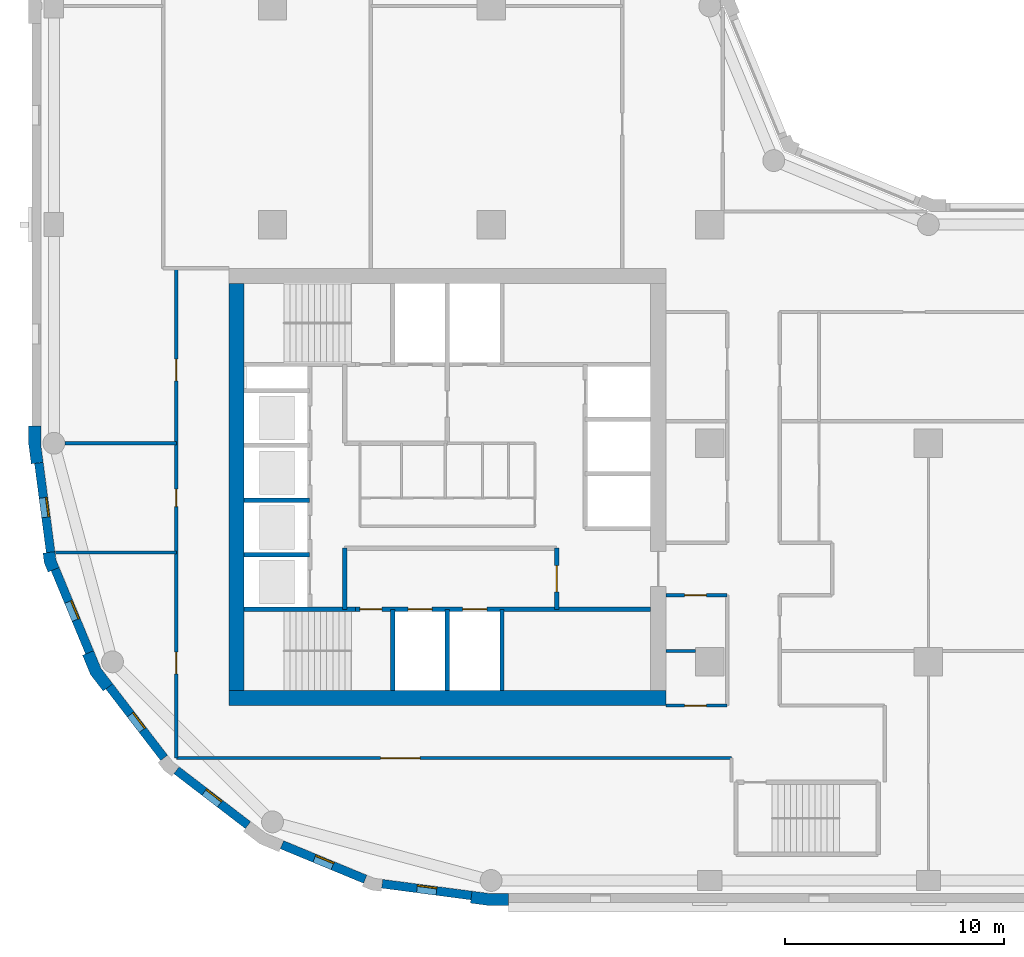
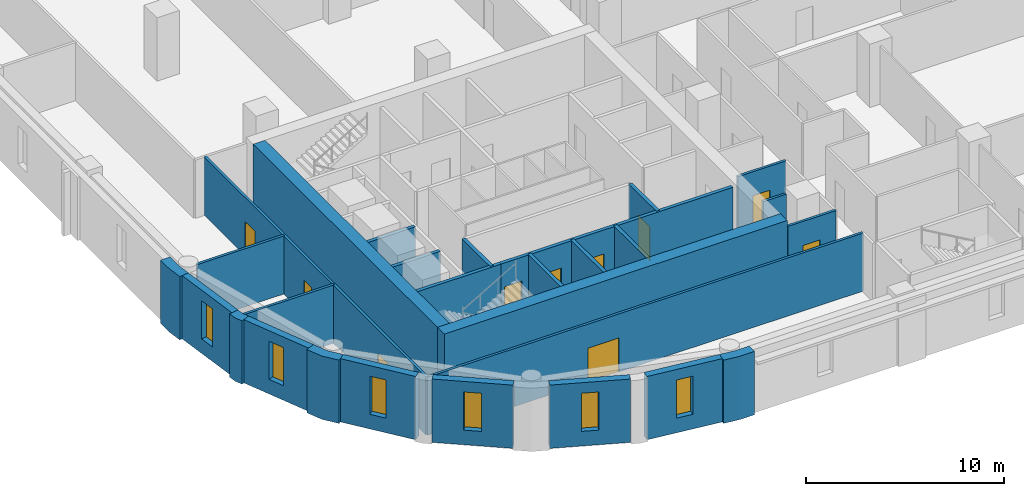
# One storey, part 2 of 10: 28 walls, 10 doors, 6 windows, 16 openings.
"""IFC4 building model written with IfcOpenShell, lengths in metres."""

from ifc_helpers import new_model, si_unit, direction, frame, frame_2d, origin, place, context, subcontext, project, spatial, polyline, rectangle, outline, extrude, material, layer, layer_set, type_object, element, fill, save


model = new_model("IFC4")

# Units and contexts
model_context = context("Model", 3, precision=1e-05, world=origin(), true_north=direction((0.0, 1.0)))
body_context = subcontext(model_context, "Body", "Model", "MODEL_VIEW")
ifc_project = project(units=[si_unit("LENGTHUNIT", "METRE"), si_unit("AREAUNIT", "SQUARE_METRE"), si_unit("VOLUMEUNIT", "CUBIC_METRE"), si_unit("PLANEANGLEUNIT", "RADIAN"), si_unit("MASSUNIT", "GRAM", prefix="KILO")], contexts=[model_context])

# Site, building, storey
site_placement = place(None, origin())
site = spatial("IfcSite", under=ifc_project, at=site_placement, CompositionType="ELEMENT")
building_placement = place(site_placement, origin())
building = spatial("IfcBuilding", under=site, at=building_placement, Name="Qaws Garden Tower", CompositionType="ELEMENT")
storey_placement = place(building_placement, frame((0.0, 0.0, 178.5)))
storey = spatial("IfcBuildingStorey", under=building, at=storey_placement, Name="L43", CompositionType="ELEMENT", Elevation=178.5)

# Wall, opening, window
ifc_material_1 = material(Name="Clay facing brick masonry", Category="masonry")
ifc_layer_1 = layer(ifc_material_1, 0.39990234375)
ifc_layer_set_1 = layer_set([ifc_layer_1], Name="Clay facing brick masonry")
wall_type_1 = type_object("IfcWallType", Name="Brick infill wall 400", PredefinedType="SOLIDWALL", material=ifc_layer_set_1)
wall_1_placement = place(storey_placement, frame((-0.688720703125, 19.102294921875, 0.0), z_axis=(0.0, 0.0, 1.0), x_axis=(0.130514280502, -0.991446429508, 0.0)))
wall_1 = element("IfcWall", 1, at=wall_1_placement, inside=storey, type_object=wall_type_1, Name="E-L43-infill-25", PredefinedType="SOLIDWALL", context=body_context, shape_type="SweptSolid", body=[
    extrude(rectangle(XDim=4.120849609375, YDim=0.39990234375, at=frame_2d((2.060546875, 0.0))), origin(), (0.0, 0.0, 1.0), 3.89990234375),
])
opening_1_placement = place(wall_1_placement, frame((1.610595703125, 0.0, 0.89990234375)))
opening_1 = element("IfcOpeningElement", 2, at=opening_1_placement, cuts=wall_1, Name="Opening W09", PredefinedType="OPENING", context=body_context, shape_type="SweptSolid", body=[
    extrude(rectangle(XDim=0.89990234375, YDim=2.35009765625, at=frame_2d((0.449951171875, 1.175048828125))), frame((0.0, 0.2099609375, 0.0), z_axis=(0.0, -1.0, 0.0), x_axis=(1.0, 0.0, 0.0)), (0.0, 0.0, 1.0), 0.419921875),
])
ifc_material_2 = material(Name="Aluminium framed window, clear glazing", Category="aluminium")
window_type = type_object("IfcWindowType", Name="Slit window 900 x 2350", PartitioningType="SINGLE_PANEL", PredefinedType="WINDOW", material=ifc_material_2)
window_1_placement = place(opening_1_placement, origin())
window_1 = element("IfcWindow", 3, at=window_1_placement, inside=storey, type_object=window_type, Name="E-L43-window-25-0", OverallHeight=2.35009765625, OverallWidth=0.89990234375, PartitioningType="SINGLE_PANEL", PredefinedType="WINDOW", context=body_context, shape_type="SweptSolid", body=[
    extrude(rectangle(XDim=0.89990234375, YDim=2.35009765625, at=frame_2d((0.449951171875, 1.175048828125))), frame((0.0, 0.159912109375, 0.0), z_axis=(0.0, -1.0, 0.0), x_axis=(1.0, 0.0, 0.0)), (0.0, 0.0, 1.0), 0.06005859375),
])
fill(opening_1, window_1)

wall_2_placement = place(storey_placement, frame((0.05712890625, 14.240234375, 0.0), z_axis=(0.0, 0.0, 1.0), x_axis=(0.382721546029, -0.923863744394, 0.0)))
wall_2 = element("IfcWall", 4, at=wall_2_placement, inside=storey, type_object=wall_type_1, Name="E-L43-infill-26", PredefinedType="SOLIDWALL", context=body_context, shape_type="SweptSolid", body=[
    extrude(rectangle(XDim=4.120849609375, YDim=0.39990234375, at=frame_2d((2.060546875, 0.0))), origin(), (0.0, 0.0, 1.0), 3.89990234375),
])
opening_2_placement = place(wall_2_placement, frame((1.610595703125, 0.0, 0.89990234375)))
opening_2 = element("IfcOpeningElement", 5, at=opening_2_placement, cuts=wall_2, Name="Opening W09", PredefinedType="OPENING", context=body_context, shape_type="SweptSolid", body=[
    extrude(rectangle(XDim=0.89990234375, YDim=2.35009765625, at=frame_2d((0.449951171875, 1.175048828125))), frame((0.0, 0.2099609375, 0.0), z_axis=(0.0, -1.0, 0.0), x_axis=(1.0, 0.0, 0.0)), (0.0, 0.0, 1.0), 0.419921875),
])
window_2_placement = place(opening_2_placement, origin())
window_2 = element("IfcWindow", 6, at=window_2_placement, inside=storey, type_object=window_type, Name="E-L43-window-26-0", OverallHeight=2.35009765625, OverallWidth=0.89990234375, PartitioningType="SINGLE_PANEL", PredefinedType="WINDOW", context=body_context, shape_type="SweptSolid", body=[
    extrude(rectangle(XDim=0.89990234375, YDim=2.35009765625, at=frame_2d((0.449951171875, 1.175048828125))), frame((0.0, 0.159912109375, 0.0), z_axis=(0.0, -1.0, 0.0), x_axis=(1.0, 0.0, 0.0)), (0.0, 0.0, 1.0), 0.06005859375),
])
fill(opening_2, window_2)

wall_3_placement = place(storey_placement, frame((2.53173828125, 8.87841796875, 0.0), z_axis=(0.0, 0.0, 1.0), x_axis=(0.608759824817, -0.793354571229, 0.0)))
wall_3 = element("IfcWall", 7, at=wall_3_placement, inside=storey, type_object=wall_type_1, Name="E-L43-infill-27", PredefinedType="SOLIDWALL", context=body_context, shape_type="SweptSolid", body=[
    extrude(rectangle(XDim=4.12109375, YDim=0.39990234375, at=frame_2d((2.060546875, 0.0))), origin(), (0.0, 0.0, 1.0), 3.89990234375),
])
opening_3_placement = place(wall_3_placement, frame((1.610595703125, 0.0, 0.89990234375)))
opening_3 = element("IfcOpeningElement", 8, at=opening_3_placement, cuts=wall_3, Name="Opening W09", PredefinedType="OPENING", context=body_context, shape_type="SweptSolid", body=[
    extrude(rectangle(XDim=0.89990234375, YDim=2.35009765625, at=frame_2d((0.449951171875, 1.175048828125))), frame((0.0, 0.2099609375, 0.0), z_axis=(0.0, -1.0, 0.0), x_axis=(1.0, 0.0, 0.0)), (0.0, 0.0, 1.0), 0.419921875),
])
window_3_placement = place(opening_3_placement, origin())
window_3 = element("IfcWindow", 9, at=window_3_placement, inside=storey, type_object=window_type, Name="E-L43-window-27-0", OverallHeight=2.35009765625, OverallWidth=0.89990234375, PartitioningType="SINGLE_PANEL", PredefinedType="WINDOW", context=body_context, shape_type="SweptSolid", body=[
    extrude(rectangle(XDim=0.89990234375, YDim=2.35009765625, at=frame_2d((0.449951171875, 1.175048828125))), frame((0.0, 0.159912109375, 0.0), z_axis=(0.0, -1.0, 0.0), x_axis=(1.0, 0.0, 0.0)), (0.0, 0.0, 1.0), 0.06005859375),
])
fill(opening_3, window_3)

wall_4_placement = place(storey_placement, frame((5.60888671875, 5.04052734375, 0.0), z_axis=(0.0, 0.0, 1.0), x_axis=(0.793354571229, -0.608759824817, 0.0)))
wall_4 = element("IfcWall", 10, at=wall_4_placement, inside=storey, type_object=wall_type_1, Name="E-L43-infill-28", PredefinedType="SOLIDWALL", context=body_context, shape_type="SweptSolid", body=[
    extrude(rectangle(XDim=4.12109375, YDim=0.39990234375, at=frame_2d((2.060546875, 0.0))), origin(), (0.0, 0.0, 1.0), 3.89990234375),
])
opening_4_placement = place(wall_4_placement, frame((1.610595703125, 0.0, 0.89990234375)))
opening_4 = element("IfcOpeningElement", 11, at=opening_4_placement, cuts=wall_4, Name="Opening W09", PredefinedType="OPENING", context=body_context, shape_type="SweptSolid", body=[
    extrude(rectangle(XDim=0.89990234375, YDim=2.35009765625, at=frame_2d((0.449951171875, 1.175048828125))), frame((0.0, 0.2099609375, 0.0), z_axis=(0.0, -1.0, 0.0), x_axis=(1.0, 0.0, 0.0)), (0.0, 0.0, 1.0), 0.419921875),
])
window_4_placement = place(opening_4_placement, origin())
window_4 = element("IfcWindow", 12, at=window_4_placement, inside=storey, type_object=window_type, Name="E-L43-window-28-0", OverallHeight=2.35009765625, OverallWidth=0.89990234375, PartitioningType="SINGLE_PANEL", PredefinedType="WINDOW", context=body_context, shape_type="SweptSolid", body=[
    extrude(rectangle(XDim=0.89990234375, YDim=2.35009765625, at=frame_2d((0.449951171875, 1.175048828125))), frame((0.0, 0.159912109375, 0.0), z_axis=(0.0, -1.0, 0.0), x_axis=(1.0, 0.0, 0.0)), (0.0, 0.0, 1.0), 0.06005859375),
])
fill(opening_4, window_4)

wall_5_placement = place(storey_placement, frame((10.43310546875, 1.63427734375, 0.0), z_axis=(0.0, 0.0, 1.0), x_axis=(0.923863744394, -0.382721546029, 0.0)))
wall_5 = element("IfcWall", 13, at=wall_5_placement, inside=storey, type_object=wall_type_1, Name="E-L43-infill-29", PredefinedType="SOLIDWALL", context=body_context, shape_type="SweptSolid", body=[
    extrude(rectangle(XDim=4.120849609375, YDim=0.39990234375, at=frame_2d((2.060546875, 0.0))), origin(), (0.0, 0.0, 1.0), 3.89990234375),
])
opening_5_placement = place(wall_5_placement, frame((1.610595703125, 0.0, 0.89990234375)))
opening_5 = element("IfcOpeningElement", 14, at=opening_5_placement, cuts=wall_5, Name="Opening W09", PredefinedType="OPENING", context=body_context, shape_type="SweptSolid", body=[
    extrude(rectangle(XDim=0.89990234375, YDim=2.35009765625, at=frame_2d((0.449951171875, 1.175048828125))), frame((0.0, 0.2099609375, 0.0), z_axis=(0.0, -1.0, 0.0), x_axis=(1.0, 0.0, 0.0)), (0.0, 0.0, 1.0), 0.419921875),
])
window_5_placement = place(opening_5_placement, origin())
window_5 = element("IfcWindow", 15, at=window_5_placement, inside=storey, type_object=window_type, Name="E-L43-window-29-0", OverallHeight=2.35009765625, OverallWidth=0.89990234375, PartitioningType="SINGLE_PANEL", PredefinedType="WINDOW", context=body_context, shape_type="SweptSolid", body=[
    extrude(rectangle(XDim=0.89990234375, YDim=2.35009765625, at=frame_2d((0.449951171875, 1.175048828125))), frame((0.0, 0.159912109375, 0.0), z_axis=(0.0, -1.0, 0.0), x_axis=(1.0, 0.0, 0.0)), (0.0, 0.0, 1.0), 0.06005859375),
])
fill(opening_5, window_5)

wall_6_placement = place(storey_placement, frame((15.0166015625, -0.15087890625, 0.0), z_axis=(0.0, 0.0, 1.0), x_axis=(0.991446429508, -0.130514280502, 0.0)))
wall_6 = element("IfcWall", 16, at=wall_6_placement, inside=storey, type_object=wall_type_1, Name="E-L43-infill-30", PredefinedType="SOLIDWALL", context=body_context, shape_type="SweptSolid", body=[
    extrude(rectangle(XDim=4.120849609375, YDim=0.39990234375, at=frame_2d((2.060546875, 0.0))), origin(), (0.0, 0.0, 1.0), 3.89990234375),
])
opening_6_placement = place(wall_6_placement, frame((1.610595703125, 0.0, 0.89990234375)))
opening_6 = element("IfcOpeningElement", 17, at=opening_6_placement, cuts=wall_6, Name="Opening W09", PredefinedType="OPENING", context=body_context, shape_type="SweptSolid", body=[
    extrude(rectangle(XDim=0.89990234375, YDim=2.35009765625, at=frame_2d((0.449951171875, 1.175048828125))), frame((0.0, 0.2099609375, 0.0), z_axis=(0.0, -1.0, 0.0), x_axis=(1.0, 0.0, 0.0)), (0.0, 0.0, 1.0), 0.419921875),
])
window_6_placement = place(opening_6_placement, origin())
window_6 = element("IfcWindow", 18, at=window_6_placement, inside=storey, type_object=window_type, Name="E-L43-window-30-0", OverallHeight=2.35009765625, OverallWidth=0.89990234375, PartitioningType="SINGLE_PANEL", PredefinedType="WINDOW", context=body_context, shape_type="SweptSolid", body=[
    extrude(rectangle(XDim=0.89990234375, YDim=2.35009765625, at=frame_2d((0.449951171875, 1.175048828125))), frame((0.0, 0.159912109375, 0.0), z_axis=(0.0, -1.0, 0.0), x_axis=(1.0, 0.0, 0.0)), (0.0, 0.0, 1.0), 0.06005859375),
])
fill(opening_6, window_6)

# Walls
ifc_material_3 = material(Name="Clay facing brick masonry", Category="masonry")
ifc_layer_2 = layer(ifc_material_3, 0.550048828125)
ifc_layer_set_2 = layer_set([ifc_layer_2], Name="Clay facing brick masonry")
wall_type_2 = type_object("IfcWallType", Name="Brick kink pier 550 x 600", PredefinedType="SOLIDWALL", material=ifc_layer_set_2)
placement = place(storey_placement, origin())
element("IfcWall", 19, at=placement, inside=storey, type_object=wall_type_2, Name="E-L43-pier-26", PredefinedType="SOLIDWALL", context=body_context, shape_type="SweptSolid", body=[
    extrude(outline(polyline([(-0.34912109375, 14.990478515625), (-0.497802734375, 14.970947265625), (-0.43896484375, 14.5234375), (-0.26611328125, 14.1064453125), (-0.127685546875, 14.163818359375), (0.241943359375, 14.31689453125), (0.096923828125, 14.6669921875), (0.04736328125, 15.042724609375), (-0.34912109375, 14.990478515625)])), origin(), (0.0, 0.0, 1.0), 3.89990234375),
])
ifc_material_4 = material(Name="Clay facing brick masonry", Category="masonry")
ifc_layer_3 = layer(ifc_material_4, 0.550048828125)
ifc_layer_set_3 = layer_set([ifc_layer_3], Name="Clay facing brick masonry")
wall_type_3 = type_object("IfcWallType", Name="Brick pier 550 x 1600", PredefinedType="SOLIDWALL", material=ifc_layer_set_3)
element("IfcWall", 20, at=placement, inside=storey, type_object=wall_type_3, Name="E-L43-pier-00", PredefinedType="SOLIDWALL", context=body_context, shape_type="SweptSolid", body=[
    extrude(outline(polyline([(19.076416015625, -0.886962890625), (19.056640625, -1.03564453125), (19.924560546875, -1.14990234375), (20.800048828125, -1.14990234375), (20.800048828125, -1.0), (20.800048828125, -0.60009765625), (19.960693359375, -0.60009765625), (19.12841796875, -0.490478515625), (19.076416015625, -0.886962890625)])), origin(), (0.0, 0.0, 1.0), 3.89990234375),
])
element("IfcWall", 21, at=placement, inside=storey, type_object=wall_type_3, Name="E-L43-pier-25", PredefinedType="SOLIDWALL", context=body_context, shape_type="SweptSolid", body=[
    extrude(outline(polyline([(-1.0, 20.800048828125), (-1.14990234375, 20.800048828125), (-1.14990234375, 19.924560546875), (-1.03564453125, 19.056640625), (-0.886962890625, 19.076416015625), (-0.490478515625, 19.12841796875), (-0.60009765625, 19.960693359375), (-0.60009765625, 20.800048828125), (-1.0, 20.800048828125)])), origin(), (0.0, 0.0, 1.0), 3.89990234375),
])
element("IfcWall", 22, at=placement, inside=storey, type_object=wall_type_3, Name="E-L43-pier-27", PredefinedType="SOLIDWALL", context=body_context, shape_type="SweptSolid", body=[
    extrude(outline(polyline([(1.449462890625, 10.3564453125), (1.310791015625, 10.299072265625), (1.675048828125, 9.419921875), (2.254150390625, 8.665283203125), (2.373046875, 8.756591796875), (2.6904296875, 9.0), (2.1552734375, 9.697509765625), (1.819091796875, 10.509521484375), (1.449462890625, 10.3564453125)])), origin(), (0.0, 0.0, 1.0), 3.89990234375),
])
ifc_material_5 = material(Name="Concrete C70", Category="concrete")
ifc_layer_4 = layer(ifc_material_5, 0.199951171875)
ifc_layer_set_4 = layer_set([ifc_layer_4], Name="Concrete C70")
wall_type_4 = type_object("IfcWallType", Name="Core shaft wall 200 C70", PredefinedType="SHEAR", material=ifc_layer_set_4)
wall_11_placement = place(storey_placement, frame((8.699951171875, 12.39990234375, 0.0), z_axis=(0.0, 0.0, 1.0), x_axis=(1.0, 0.0, 0.0)))
element("IfcWall", 23, at=wall_11_placement, inside=storey, type_object=wall_type_4, Name="Shaft wall", PredefinedType="SHEAR", context=body_context, shape_type="SweptSolid", body=[
    extrude(rectangle(XDim=5.10009765625, YDim=0.199951171875, at=frame_2d((2.550048828125, 0.0))), origin(), (0.0, 0.0, 1.0), 3.580078125),
])

# Wall, openings, doors
wall_12_placement = place(storey_placement, frame((13.800048828125, 12.39990234375, 0.0), z_axis=(0.0, 0.0, 1.0), x_axis=(1.0, 0.0, 0.0)))
wall_12 = element("IfcWall", 24, at=wall_12_placement, inside=storey, type_object=wall_type_4, Name="Shaft wall", PredefinedType="SHEAR", context=body_context, shape_type="SweptSolid", body=[
    extrude(rectangle(XDim=13.5, YDim=0.199951171875, at=frame_2d((6.75, 0.0))), origin(), (0.0, 0.0, 1.0), 3.580078125),
])
opening_7_placement = place(wall_12_placement, frame((2.39990234375, 0.0, 0.0)))
opening_7 = element("IfcOpeningElement", 25, at=opening_7_placement, cuts=wall_12, Name="Opening LD06", PredefinedType="OPENING", context=body_context, shape_type="SweptSolid", body=[
    extrude(rectangle(XDim=1.10009765625, YDim=2.10009765625, at=frame_2d((0.550048828125, 1.050048828125))), frame((0.0, 0.10986328125, 0.0), z_axis=(0.0, -1.0, 0.0), x_axis=(1.0, 0.0, 0.0)), (0.0, 0.0, 1.0), 0.219970703125),
])
opening_8_placement = place(wall_12_placement, frame((4.89990234375, 0.0, 0.0)))
opening_8 = element("IfcOpeningElement", 26, at=opening_8_placement, cuts=wall_12, Name="Opening LD07", PredefinedType="OPENING", context=body_context, shape_type="SweptSolid", body=[
    extrude(rectangle(XDim=1.10009765625, YDim=2.10009765625, at=frame_2d((0.550048828125, 1.050048828125))), frame((0.0, 0.10986328125, 0.0), z_axis=(0.0, -1.0, 0.0), x_axis=(1.0, 0.0, 0.0)), (0.0, 0.0, 1.0), 0.219970703125),
])
opening_9_placement = place(wall_12_placement, frame((0.199951171875, 0.0, 0.0)))
opening_9 = element("IfcOpeningElement", 27, at=opening_9_placement, cuts=wall_12, Name="Opening SD10", PredefinedType="OPENING", context=body_context, shape_type="SweptSolid", body=[
    extrude(rectangle(XDim=1.0, YDim=2.10009765625, at=frame_2d((0.5, 1.050048828125))), frame((0.0, 0.10986328125, 0.0), z_axis=(0.0, -1.0, 0.0), x_axis=(1.0, 0.0, 0.0)), (0.0, 0.0, 1.0), 0.219970703125),
])
ifc_material_6 = material(Name="Steel S235", Category="steel")
door_type_1 = type_object("IfcDoorType", Name="Landing door 1100x2100", OperationType="DOUBLE_DOOR_SLIDING", PredefinedType="DOOR", material=ifc_material_6)
door_1_placement = place(opening_7_placement, origin())
door_1 = element("IfcDoor", 28, at=door_1_placement, inside=storey, type_object=door_type_1, Name="Lift FF1 landing door", OperationType="DOUBLE_DOOR_SLIDING", OverallHeight=2.10009765625, OverallWidth=1.10009765625, PredefinedType="DOOR", context=body_context, shape_type="SweptSolid", body=[
    extrude(rectangle(XDim=1.10009765625, YDim=2.10009765625, at=frame_2d((0.550048828125, 1.050048828125))), frame((0.0, 0.02490234375, 0.0), z_axis=(0.0, -1.0, 0.0), x_axis=(1.0, 0.0, 0.0)), (0.0, 0.0, 1.0), 0.050048828125),
])
fill(opening_7, door_1)
door_2_placement = place(opening_8_placement, origin())
door_2 = element("IfcDoor", 29, at=door_2_placement, inside=storey, type_object=door_type_1, Name="Lift FF2 landing door", OperationType="DOUBLE_DOOR_SLIDING", OverallHeight=2.10009765625, OverallWidth=1.10009765625, PredefinedType="DOOR", context=body_context, shape_type="SweptSolid", body=[
    extrude(rectangle(XDim=1.10009765625, YDim=2.10009765625, at=frame_2d((0.550048828125, 1.050048828125))), frame((0.0, 0.02490234375, 0.0), z_axis=(0.0, -1.0, 0.0), x_axis=(1.0, 0.0, 0.0)), (0.0, 0.0, 1.0), 0.050048828125),
])
fill(opening_8, door_2)
ifc_material_7 = material(Name="Steel S235", Category="steel")
door_type_2 = type_object("IfcDoorType", Name="Stair door 1000x2100", OperationType="SINGLE_SWING_RIGHT", PredefinedType="DOOR", material=ifc_material_7)
door_3_placement = place(opening_9_placement, frame((1.0, 0.0, 0.0), z_axis=(0.0, 0.0, 1.0), x_axis=(-1.0, 0.0, 0.0)))
door_3 = element("IfcDoor", 30, at=door_3_placement, inside=storey, type_object=door_type_2, Name="Stair 1 door", OperationType="SINGLE_SWING_LEFT", OverallHeight=2.10009765625, OverallWidth=1.0, PredefinedType="DOOR", context=body_context, shape_type="SweptSolid", body=[
    extrude(rectangle(XDim=1.0, YDim=2.10009765625, at=frame_2d((0.5, 1.050048828125))), frame((0.0, 0.02490234375, 0.0), z_axis=(0.0, -1.0, 0.0), x_axis=(1.0, 0.0, 0.0)), (0.0, 0.0, 1.0), 0.050048828125),
])
fill(opening_9, door_3)

# Walls
for number, where, z_axis, x_axis, name in (
    (31, (8.699951171875, 14.89990234375, 0.0), (0.0, 0.0, 1.0), (1.0, 0.0, 0.0), "Shaft wall"),
    (32, (8.699951171875, 17.39990234375, 0.0), (0.0, 0.0, 1.0), (1.0, 0.0, 0.0), "Shaft wall"),
):
    element("IfcWall", number, at=place(storey_placement, frame(where, z_axis=z_axis, x_axis=x_axis)), inside=storey, type_object=wall_type_4, Name=name, PredefinedType="SHEAR", context=body_context, shape_type="SweptSolid", body=[
        extrude(rectangle(XDim=3.0, YDim=0.199951171875, at=frame_2d((1.5, 0.0))), origin(), (0.0, 0.0, 1.0), 3.580078125),
    ])
wall_13_placement = place(storey_placement, frame((13.300048828125, 12.39990234375, 0.0), z_axis=(0.0, 0.0, 1.0), x_axis=(0.0, 1.0, 0.0)))
element("IfcWall", 33, at=wall_13_placement, inside=storey, type_object=wall_type_4, Name="Shaft wall", PredefinedType="SHEAR", context=body_context, shape_type="SweptSolid", body=[
    extrude(rectangle(XDim=2.800048828125, YDim=0.199951171875, at=frame_2d((1.39990234375, 0.0))), origin(), (0.0, 0.0, 1.0), 3.580078125),
])
for number, where, z_axis, x_axis, name in (
    (34, (15.5, 8.699951171875, 0.0), (0.0, 0.0, 1.0), (0.0, 1.0, 0.0), "Shaft wall"),
    (35, (18.0, 8.699951171875, 0.0), (0.0, 0.0, 1.0), (0.0, 1.0, 0.0), "Shaft wall"),
    (36, (20.5, 8.699951171875, 0.0), (0.0, 0.0, 1.0), (0.0, 1.0, 0.0), "Shaft wall"),
):
    element("IfcWall", number, at=place(storey_placement, frame(where, z_axis=z_axis, x_axis=x_axis)), inside=storey, type_object=wall_type_4, Name=name, PredefinedType="SHEAR", context=body_context, shape_type="SweptSolid", body=[
        extrude(rectangle(XDim=3.699951171875, YDim=0.199951171875, at=frame_2d((1.85009765625, 0.0))), origin(), (0.0, 0.0, 1.0), 3.580078125),
    ])

# Wall, opening, door
wall_14_placement = place(storey_placement, frame((23.0, 12.39990234375, 0.0), z_axis=(0.0, 0.0, 1.0), x_axis=(0.0, 1.0, 0.0)))
wall_14 = element("IfcWall", 37, at=wall_14_placement, inside=storey, type_object=wall_type_4, Name="Shaft wall", PredefinedType="SHEAR", context=body_context, shape_type="SweptSolid", body=[
    extrude(rectangle(XDim=2.800048828125, YDim=0.199951171875, at=frame_2d((1.39990234375, 0.0))), origin(), (0.0, 0.0, 1.0), 3.580078125),
])
opening_10_placement = place(wall_14_placement, frame((0.800048828125, 0.0, 0.0)))
opening_10 = element("IfcOpeningElement", 38, at=opening_10_placement, cuts=wall_14, Name="Opening FD15", PredefinedType="OPENING", context=body_context, shape_type="SweptSolid", body=[
    extrude(rectangle(XDim=1.199951171875, YDim=2.10009765625, at=frame_2d((0.60009765625, 1.050048828125))), frame((0.0, 0.10986328125, 0.0), z_axis=(0.0, -1.0, 0.0), x_axis=(1.0, 0.0, 0.0)), (0.0, 0.0, 1.0), 0.219970703125),
])
ifc_material_8 = material(Name="Steel S235", Category="steel")
door_type_3 = type_object("IfcDoorType", Name="Lobby door 1200x2100", OperationType="DOUBLE_DOOR_SINGLE_SWING", PredefinedType="DOOR", material=ifc_material_8)
door_4_placement = place(opening_10_placement, origin())
door_4 = element("IfcDoor", 39, at=door_4_placement, inside=storey, type_object=door_type_3, Name="Fire-fighting lobby door", OperationType="DOUBLE_DOOR_SINGLE_SWING", OverallHeight=2.10009765625, OverallWidth=1.199951171875, PredefinedType="DOOR", context=body_context, shape_type="SweptSolid", body=[
    extrude(rectangle(XDim=1.199951171875, YDim=2.10009765625, at=frame_2d((0.60009765625, 1.050048828125))), frame((0.0, 0.02490234375, 0.0), z_axis=(0.0, -1.0, 0.0), x_axis=(1.0, 0.0, 0.0)), (0.0, 0.0, 1.0), 0.050048828125),
])
fill(opening_10, door_4)

# Walls
ifc_material_9 = material(Name="Concrete C70", Category="concrete")
ifc_layer_5 = layer(ifc_material_9, 0.699951171875)
ifc_layer_set_5 = layer_set([ifc_layer_5], Name="Concrete C70")
wall_type_5 = type_object("IfcWallType", Name="Core wall 700 C70", PredefinedType="SHEAR", material=ifc_layer_set_5)
wall_15_placement = place(storey_placement, frame((8.0, 8.35009765625, 0.0), z_axis=(0.0, 0.0, 1.0), x_axis=(1.0, 0.0, 0.0)))
element("IfcWall", 40, at=wall_15_placement, inside=storey, type_object=wall_type_5, Name="Core wall L43 south", PredefinedType="SHEAR", context=body_context, shape_type="SweptSolid", body=[
    extrude(rectangle(XDim=20.0, YDim=0.699951171875, at=frame_2d((10.0, 0.0))), origin(), (0.0, 0.0, 1.0), 3.89990234375),
])
wall_16_placement = place(storey_placement, frame((8.35009765625, 27.300048828125, 0.0), z_axis=(0.0, 0.0, 1.0), x_axis=(0.0, -1.0, 0.0)))
element("IfcWall", 41, at=wall_16_placement, inside=storey, type_object=wall_type_5, Name="Core wall L43 west", PredefinedType="SHEAR", context=body_context, shape_type="SweptSolid", body=[
    extrude(rectangle(XDim=18.60009765625, YDim=0.699951171875, at=frame_2d((9.300048828125, 0.0))), origin(), (0.0, 0.0, 1.0), 3.89990234375),
])

# Wall, openings, doors
ifc_material_10 = material(Name="Gypsum board partition")
ifc_layer_6 = layer(ifc_material_10, 0.14990234375)
ifc_layer_set_6 = layer_set([ifc_layer_6], Name="Gypsum board partition")
wall_type_6 = type_object("IfcWallType", Name="PARTITION 150 EI 60", PredefinedType="PARTITIONING", material=ifc_layer_set_6)
wall_17_placement = place(storey_placement, frame((5.60009765625, 5.60009765625, 0.0), z_axis=(0.0, 0.0, 1.0), x_axis=(0.0, 1.0, 0.0)))
wall_17 = element("IfcWall", 42, at=wall_17_placement, inside=storey, type_object=wall_type_6, Name="O-L43-wall-009", PredefinedType="PARTITIONING", context=body_context, shape_type="SweptSolid", body=[
    extrude(rectangle(XDim=22.39990234375, YDim=0.14990234375, at=frame_2d((11.199951171875, 0.0))), origin(), (0.0, 0.0, 1.0), 3.580078125),
])
opening_11_placement = place(wall_17_placement, frame((3.85009765625, 0.0, 0.0)))
opening_11 = element("IfcOpeningElement", 43, at=opening_11_placement, cuts=wall_17, Name="Opening B501", PredefinedType="OPENING", context=body_context, shape_type="SweptSolid", body=[
    extrude(rectangle(XDim=1.0, YDim=2.10009765625, at=frame_2d((0.5, 1.050048828125))), frame((0.0, 0.0849609375, 0.0), z_axis=(0.0, -1.0, 0.0), x_axis=(1.0, 0.0, 0.0)), (0.0, 0.0, 1.0), 0.169921875),
])
opening_12_placement = place(wall_17_placement, frame((11.5, 0.0, 0.0)))
opening_12 = element("IfcOpeningElement", 44, at=opening_12_placement, cuts=wall_17, Name="Opening B502", PredefinedType="OPENING", context=body_context, shape_type="SweptSolid", body=[
    extrude(rectangle(XDim=0.800048828125, YDim=2.10009765625, at=frame_2d((0.39990234375, 1.050048828125))), frame((0.0, 0.0849609375, 0.0), z_axis=(0.0, -1.0, 0.0), x_axis=(1.0, 0.0, 0.0)), (0.0, 0.0, 1.0), 0.169921875),
])
opening_13_placement = place(wall_17_placement, frame((17.25, 0.0, 0.0)))
opening_13 = element("IfcOpeningElement", 45, at=opening_13_placement, cuts=wall_17, Name="Opening B511", PredefinedType="OPENING", context=body_context, shape_type="SweptSolid", body=[
    extrude(rectangle(XDim=1.0, YDim=2.10009765625, at=frame_2d((0.5, 1.050048828125))), frame((0.0, 0.0849609375, 0.0), z_axis=(0.0, -1.0, 0.0), x_axis=(1.0, 0.0, 0.0)), (0.0, 0.0, 1.0), 0.169921875),
])
ifc_material_11 = material(Name="Timber door leaf", Category="wood")
door_type_4 = type_object("IfcDoorType", Name="STORE DOOR 800 X 2100", OperationType="SINGLE_SWING_LEFT", PredefinedType="DOOR", material=ifc_material_11)
door_5_placement = place(opening_12_placement, origin())
door_5 = element("IfcDoor", 46, at=door_5_placement, inside=storey, type_object=door_type_4, Name="O-L43-door-002", OperationType="SINGLE_SWING_RIGHT", OverallHeight=2.10009765625, OverallWidth=0.800048828125, PredefinedType="DOOR", context=body_context, shape_type="SweptSolid", body=[
    extrude(rectangle(XDim=0.800048828125, YDim=2.10009765625, at=frame_2d((0.39990234375, 1.050048828125))), frame((0.0, 0.02490234375, 0.0), z_axis=(0.0, -1.0, 0.0), x_axis=(1.0, 0.0, 0.0)), (0.0, 0.0, 1.0), 0.050048828125),
])
fill(opening_12, door_5)
ifc_material_12 = material(Name="Timber door leaf", Category="wood")
door_type_5 = type_object("IfcDoorType", Name="TENANCY ENTRANCE DOOR 1000 X 2100", OperationType="SINGLE_SWING_LEFT", PredefinedType="DOOR", material=ifc_material_12)
door_6_placement = place(opening_11_placement, origin())
door_6 = element("IfcDoor", 47, at=door_6_placement, inside=storey, type_object=door_type_5, Name="O-L43-door-001", OperationType="SINGLE_SWING_RIGHT", OverallHeight=2.10009765625, OverallWidth=1.0, PredefinedType="DOOR", context=body_context, shape_type="SweptSolid", body=[
    extrude(rectangle(XDim=1.0, YDim=2.10009765625, at=frame_2d((0.5, 1.050048828125))), frame((0.0, 0.02490234375, 0.0), z_axis=(0.0, -1.0, 0.0), x_axis=(1.0, 0.0, 0.0)), (0.0, 0.0, 1.0), 0.050048828125),
])
fill(opening_11, door_6)
door_7_placement = place(opening_13_placement, origin())
door_7 = element("IfcDoor", 48, at=door_7_placement, inside=storey, type_object=door_type_5, Name="O-L43-door-011", OperationType="SINGLE_SWING_RIGHT", OverallHeight=2.10009765625, OverallWidth=1.0, PredefinedType="DOOR", context=body_context, shape_type="SweptSolid", body=[
    extrude(rectangle(XDim=1.0, YDim=2.10009765625, at=frame_2d((0.5, 1.050048828125))), frame((0.0, 0.02490234375, 0.0), z_axis=(0.0, -1.0, 0.0), x_axis=(1.0, 0.0, 0.0)), (0.0, 0.0, 1.0), 0.050048828125),
])
fill(opening_13, door_7)

# Wall, opening, door
wall_18_placement = place(storey_placement, frame((5.60009765625, 5.60009765625, 0.0), z_axis=(0.0, 0.0, 1.0), x_axis=(1.0, 0.0, 0.0)))
wall_18 = element("IfcWall", 49, at=wall_18_placement, inside=storey, type_object=wall_type_6, Name="O-L43-wall-028", PredefinedType="PARTITIONING", context=body_context, shape_type="SweptSolid", body=[
    extrude(rectangle(XDim=25.39990234375, YDim=0.14990234375, at=frame_2d((12.699951171875, 0.0))), origin(), (0.0, 0.0, 1.0), 3.580078125),
])
opening_14_placement = place(wall_18_placement, frame((9.35009765625, 0.0, 0.0)))
opening_14 = element("IfcOpeningElement", 50, at=opening_14_placement, cuts=wall_18, Name="Opening B509", PredefinedType="OPENING", context=body_context, shape_type="SweptSolid", body=[
    extrude(rectangle(XDim=1.800048828125, YDim=2.10009765625, at=frame_2d((0.89990234375, 1.050048828125))), frame((0.0, 0.0849609375, 0.0), z_axis=(0.0, -1.0, 0.0), x_axis=(1.0, 0.0, 0.0)), (0.0, 0.0, 1.0), 0.169921875),
])
ifc_material_13 = material(Name="Timber door leaf", Category="wood")
door_type_6 = type_object("IfcDoorType", Name="DOUBLE DOOR 1800 X 2100", OperationType="DOUBLE_DOOR_SINGLE_SWING", PredefinedType="DOOR", material=ifc_material_13)
door_8_placement = place(opening_14_placement, frame((1.800048828125, 0.0, 0.0), z_axis=(0.0, 0.0, 1.0), x_axis=(-1.0, 0.0, 0.0)))
door_8 = element("IfcDoor", 51, at=door_8_placement, inside=storey, type_object=door_type_6, Name="O-L43-door-009", OperationType="DOUBLE_DOOR_SINGLE_SWING", OverallHeight=2.10009765625, OverallWidth=1.800048828125, PredefinedType="DOOR", context=body_context, shape_type="SweptSolid", body=[
    extrude(rectangle(XDim=1.800048828125, YDim=2.10009765625, at=frame_2d((0.89990234375, 1.050048828125))), frame((0.0, 0.02490234375, 0.0), z_axis=(0.0, -1.0, 0.0), x_axis=(1.0, 0.0, 0.0)), (0.0, 0.0, 1.0), 0.050048828125),
])
fill(opening_14, door_8)

wall_19_placement = place(storey_placement, frame((28.0, 8.0, 0.0), z_axis=(0.0, 0.0, 1.0), x_axis=(1.0, 0.0, 0.0)))
wall_19 = element("IfcWall", 52, at=wall_19_placement, inside=storey, type_object=wall_type_6, Name="O-L43-wall-029", PredefinedType="PARTITIONING", context=body_context, shape_type="SweptSolid", body=[
    extrude(rectangle(XDim=2.800048828125, YDim=0.14990234375, at=frame_2d((1.39990234375, 0.0))), origin(), (0.0, 0.0, 1.0), 3.580078125),
])
opening_15_placement = place(wall_19_placement, frame((0.85009765625, 0.0, 0.0)))
opening_15 = element("IfcOpeningElement", 53, at=opening_15_placement, cuts=wall_19, Name="Opening B506", PredefinedType="OPENING", context=body_context, shape_type="SweptSolid", body=[
    extrude(rectangle(XDim=1.0, YDim=2.10009765625, at=frame_2d((0.5, 1.050048828125))), frame((0.0, 0.0849609375, 0.0), z_axis=(0.0, -1.0, 0.0), x_axis=(1.0, 0.0, 0.0)), (0.0, 0.0, 1.0), 0.169921875),
])
door_9_placement = place(opening_15_placement, origin())
door_9 = element("IfcDoor", 54, at=door_9_placement, inside=storey, type_object=door_type_5, Name="O-L43-door-006", OperationType="SINGLE_SWING_RIGHT", OverallHeight=2.10009765625, OverallWidth=1.0, PredefinedType="DOOR", context=body_context, shape_type="SweptSolid", body=[
    extrude(rectangle(XDim=1.0, YDim=2.10009765625, at=frame_2d((0.5, 1.050048828125))), frame((0.0, 0.02490234375, 0.0), z_axis=(0.0, -1.0, 0.0), x_axis=(1.0, 0.0, 0.0)), (0.0, 0.0, 1.0), 0.050048828125),
])
fill(opening_15, door_9)

# Wall
wall_20_placement = place(storey_placement, frame((28.0, 10.5, 0.0), z_axis=(0.0, 0.0, 1.0), x_axis=(1.0, 0.0, 0.0)))
element("IfcWall", 55, at=wall_20_placement, inside=storey, type_object=wall_type_6, Name="O-L43-wall-031", PredefinedType="PARTITIONING", context=body_context, shape_type="SweptSolid", body=[
    extrude(rectangle(XDim=1.35009765625, YDim=0.14990234375, at=frame_2d((0.675048828125, 0.0))), origin(), (0.0, 0.0, 1.0), 3.580078125),
])

# Wall, opening, door
wall_21_placement = place(storey_placement, frame((28.0, 13.050048828125, 0.0), z_axis=(0.0, 0.0, 1.0), x_axis=(1.0, 0.0, 0.0)))
wall_21 = element("IfcWall", 56, at=wall_21_placement, inside=storey, type_object=wall_type_6, Name="O-L43-wall-034", PredefinedType="PARTITIONING", context=body_context, shape_type="SweptSolid", body=[
    extrude(rectangle(XDim=2.800048828125, YDim=0.14990234375, at=frame_2d((1.39990234375, 0.0))), origin(), (0.0, 0.0, 1.0), 3.580078125),
])
opening_16_placement = place(wall_21_placement, frame((0.85009765625, 0.0, 0.0)))
opening_16 = element("IfcOpeningElement", 57, at=opening_16_placement, cuts=wall_21, Name="Opening B519", PredefinedType="OPENING", context=body_context, shape_type="SweptSolid", body=[
    extrude(rectangle(XDim=1.0, YDim=2.10009765625, at=frame_2d((0.5, 1.050048828125))), frame((0.0, 0.0849609375, 0.0), z_axis=(0.0, -1.0, 0.0), x_axis=(1.0, 0.0, 0.0)), (0.0, 0.0, 1.0), 0.169921875),
])
door_10_placement = place(opening_16_placement, frame((1.0, 0.0, 0.0), z_axis=(0.0, 0.0, 1.0), x_axis=(-1.0, 0.0, 0.0)))
door_10 = element("IfcDoor", 58, at=door_10_placement, inside=storey, type_object=door_type_5, Name="O-L43-door-019", OperationType="SINGLE_SWING_LEFT", OverallHeight=2.10009765625, OverallWidth=1.0, PredefinedType="DOOR", context=body_context, shape_type="SweptSolid", body=[
    extrude(rectangle(XDim=1.0, YDim=2.10009765625, at=frame_2d((0.5, 1.050048828125))), frame((0.0, 0.02490234375, 0.0), z_axis=(0.0, -1.0, 0.0), x_axis=(1.0, 0.0, 0.0)), (0.0, 0.0, 1.0), 0.050048828125),
])
fill(opening_16, door_10)

# Walls
wall_22_placement = place(storey_placement, frame((0.06298828125, 15.0, 0.0), z_axis=(0.0, 0.0, 1.0), x_axis=(1.0, 0.0, 0.0)))
element("IfcWall", 59, at=wall_22_placement, inside=storey, type_object=wall_type_6, Name="O-L43-wall-036", PredefinedType="PARTITIONING", context=body_context, shape_type="SweptSolid", body=[
    extrude(rectangle(XDim=5.537109375, YDim=0.14990234375, at=frame_2d((2.7685546875, 0.0))), origin(), (0.0, 0.0, 1.0), 3.580078125),
])
wall_23_placement = place(storey_placement, frame((0.5, 20.0, 0.0), z_axis=(0.0, 0.0, 1.0), x_axis=(1.0, 0.0, 0.0)))
element("IfcWall", 60, at=wall_23_placement, inside=storey, type_object=wall_type_6, Name="O-L43-wall-039", PredefinedType="PARTITIONING", context=body_context, shape_type="SweptSolid", body=[
    extrude(rectangle(XDim=5.10009765625, YDim=0.14990234375, at=frame_2d((2.550048828125, 0.0))), origin(), (0.0, 0.0, 1.0), 3.580078125),
])

save(model, "model.ifc")
